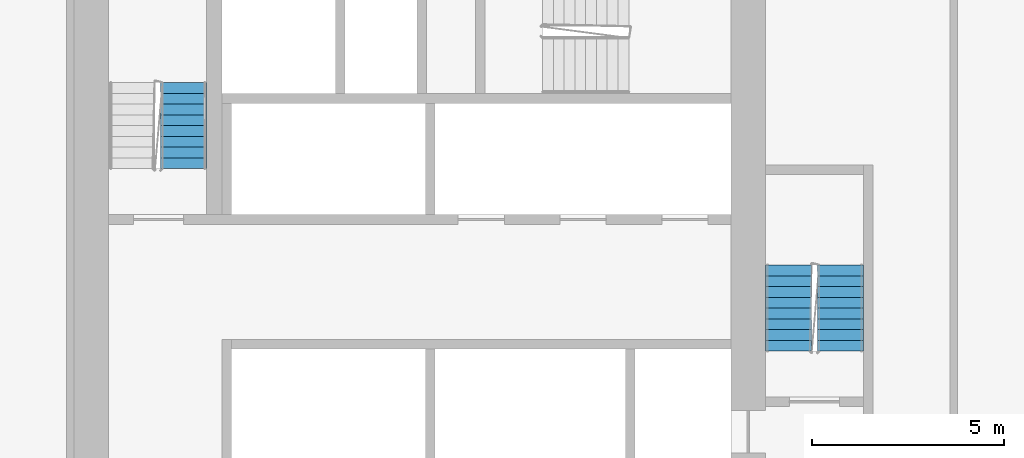
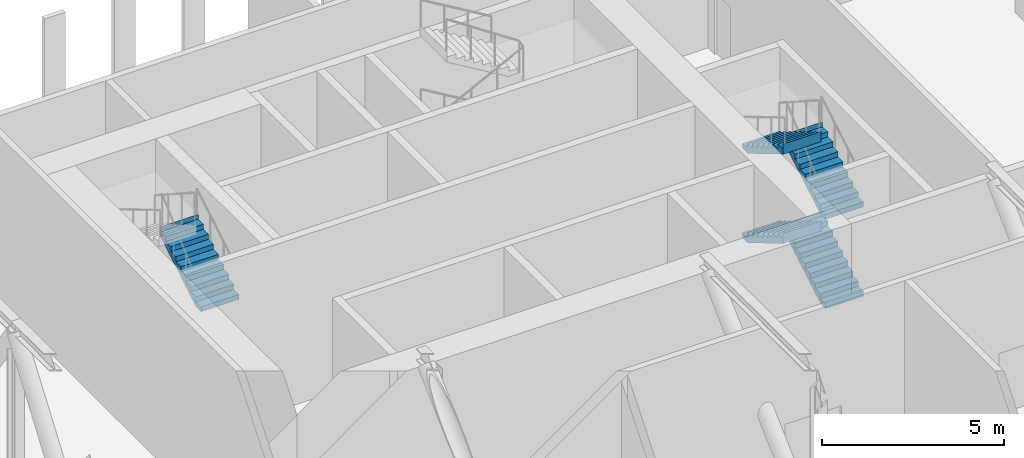
# One storey, part 22 of 26: 5 stair flights, 2 elements without a shape of their own.
"""IFC4 building model written with IfcOpenShell, lengths in metres."""

from ifc_helpers import new_model, si_unit, direction, frame, origin, place, context, subcontext, project, spatial, faceted_brep, material, type_object, element, aggregate, save


model = new_model("IFC4")

# Units and contexts
model_context = context("Model", 3, precision=1e-05, world=origin(), true_north=direction((0.0, 1.0)))
body_context = subcontext(model_context, "Body", "Model", "MODEL_VIEW")
ifc_project = project(units=[si_unit("LENGTHUNIT", "METRE"), si_unit("AREAUNIT", "SQUARE_METRE"), si_unit("VOLUMEUNIT", "CUBIC_METRE"), si_unit("PLANEANGLEUNIT", "RADIAN"), si_unit("MASSUNIT", "GRAM", prefix="KILO")], contexts=[model_context])

# Site, building, storey
site_placement = place(None, origin())
site = spatial("IfcSite", under=ifc_project, at=site_placement, CompositionType="ELEMENT")
building_placement = place(site_placement, origin())
building = spatial("IfcBuilding", under=site, at=building_placement, Name="Kajstack Hotel Tower", CompositionType="ELEMENT")
storey_placement = place(building_placement, frame((0.0, 0.0, 47.0)))
storey = spatial("IfcBuildingStorey", under=building, at=storey_placement, Name="L07", CompositionType="ELEMENT", Elevation=47.0)

# Stair, stair flights
ifc_material = material(Name="Concrete C40/50", Category="concrete")
stair_type = type_object("IfcStairType", Name="Exit stair 1200", PredefinedType="HALF_TURN_STAIR", material=ifc_material)
stair_1_placement = place(storey_placement, origin())
stair_1 = element("IfcStair", 1, at=stair_1_placement, inside=storey, type_object=stair_type, Name="L07 stair E1", PredefinedType="HALF_TURN_STAIR")
stair_flight_type = type_object("IfcStairFlightType", Name="Exit stair flight 1200", PredefinedType="STRAIGHT", material=ifc_material)
stair_flight_1_placement = place(storey_placement, frame((33.449951171875, 5.25, 0.0), z_axis=(0.0, 0.0, 1.0), x_axis=(0.0, 1.0, 0.0)))
stair_flight_1 = element("IfcStairFlight", 2, at=stair_flight_1_placement, type_object=stair_flight_type, Name="E1 flight 1", NumberOfRisers=9, NumberOfTreads=8, PredefinedType="STRAIGHT", RiserHeight=0.166666667, TreadLength=0.28, context=body_context, shape_type="Brep", body=[
    faceted_brep([(0.29345703125, -0.60009765625, 0.0), (2.240478515625, -0.60009765625, 1.158935546875), (2.240478515625, -0.60009765625, 1.5), (2.239990234375, -0.60009765625, 1.5), (2.239990234375, -0.60009765625, 1.333251953125), (1.9599609375, -0.60009765625, 1.333251953125), (1.9599609375, -0.60009765625, 1.166748046875), (1.679931640625, -0.60009765625, 1.166748046875), (1.679931640625, -0.60009765625, 1.0), (1.39990234375, -0.60009765625, 1.0), (1.39990234375, -0.60009765625, 0.833251953125), (1.1201171875, -0.60009765625, 0.833251953125), (1.1201171875, -0.60009765625, 0.666748046875), (0.840087890625, -0.60009765625, 0.666748046875), (0.840087890625, -0.60009765625, 0.5), (0.56005859375, -0.60009765625, 0.5), (0.56005859375, -0.60009765625, 0.333251953125), (0.280029296875, -0.60009765625, 0.333251953125), (0.280029296875, -0.60009765625, 0.166748046875), (-0.00048828125, -0.60009765625, 0.166748046875), (-0.00048828125, -0.60009765625, 0.0), (-0.00048828125, 0.60009765625, 0.0), (-0.00048828125, 0.60009765625, 0.166748046875), (0.280029296875, 0.60009765625, 0.166748046875), (0.280029296875, 0.60009765625, 0.333251953125), (0.56005859375, 0.60009765625, 0.333251953125), (0.56005859375, 0.60009765625, 0.5), (0.840087890625, 0.60009765625, 0.5), (0.840087890625, 0.60009765625, 0.666748046875), (1.1201171875, 0.60009765625, 0.666748046875), (1.1201171875, 0.60009765625, 0.833251953125), (1.39990234375, 0.60009765625, 0.833251953125), (1.39990234375, 0.60009765625, 1.0), (1.679931640625, 0.60009765625, 1.0), (1.679931640625, 0.60009765625, 1.166748046875), (1.9599609375, 0.60009765625, 1.166748046875), (1.9599609375, 0.60009765625, 1.333251953125), (2.239990234375, 0.60009765625, 1.333251953125), (2.239990234375, 0.60009765625, 1.5), (2.240478515625, 0.60009765625, 1.5), (2.240478515625, 0.60009765625, 1.158935546875), (0.29345703125, 0.60009765625, 0.0), (-0.00048828125, -0.300048828125, 0.166748046875), (-0.00048828125, 0.0, 0.166748046875), (-0.00048828125, 0.300048828125, 0.166748046875), (-0.00048828125, 0.300048828125, 0.0), (-0.00048828125, 0.0, 0.0), (-0.00048828125, -0.300048828125, 0.0), (0.280029296875, -0.300048828125, 0.166748046875), (0.280029296875, 0.0, 0.166748046875), (0.280029296875, 0.300048828125, 0.166748046875), (0.280029296875, -0.300048828125, 0.333251953125), (0.280029296875, 0.0, 0.333251953125), (0.280029296875, 0.300048828125, 0.333251953125), (0.56005859375, -0.300048828125, 0.333251953125), (0.56005859375, 0.0, 0.333251953125), (0.56005859375, 0.300048828125, 0.333251953125), (0.56005859375, -0.300048828125, 0.5), (0.56005859375, 0.0, 0.5), (0.56005859375, 0.300048828125, 0.5), (0.840087890625, -0.300048828125, 0.5), (0.840087890625, 0.0, 0.5), (0.840087890625, 0.300048828125, 0.5), (0.840087890625, -0.300048828125, 0.666748046875), (0.840087890625, 0.0, 0.666748046875), (0.840087890625, 0.300048828125, 0.666748046875), (1.1201171875, -0.300048828125, 0.666748046875), (1.1201171875, 0.0, 0.666748046875), (1.1201171875, 0.300048828125, 0.666748046875), (1.1201171875, -0.300048828125, 0.833251953125), (1.1201171875, 0.0, 0.833251953125), (1.1201171875, 0.300048828125, 0.833251953125), (1.39990234375, -0.300048828125, 0.833251953125), (1.39990234375, 0.0, 0.833251953125), (1.39990234375, 0.300048828125, 0.833251953125), (1.39990234375, -0.300048828125, 1.0), (1.39990234375, 0.0, 1.0), (1.39990234375, 0.300048828125, 1.0), (1.679931640625, -0.300048828125, 1.0), (1.679931640625, 0.0, 1.0), (1.679931640625, 0.300048828125, 1.0), (1.679931640625, -0.300048828125, 1.166748046875), (1.679931640625, 0.0, 1.166748046875), (1.679931640625, 0.300048828125, 1.166748046875), (1.9599609375, -0.300048828125, 1.166748046875), (1.9599609375, 0.0, 1.166748046875), (1.9599609375, 0.300048828125, 1.166748046875), (1.9599609375, -0.300048828125, 1.333251953125), (1.9599609375, 0.0, 1.333251953125), (1.9599609375, 0.300048828125, 1.333251953125), (2.239990234375, -0.300048828125, 1.333251953125), (2.239990234375, 0.0, 1.333251953125), (2.239990234375, 0.300048828125, 1.333251953125), (2.239990234375, -0.300048828125, 1.5), (2.239990234375, 0.0, 1.5), (2.239990234375, 0.300048828125, 1.5), (2.240478515625, -0.300048828125, 1.5), (2.240478515625, 0.0, 1.5), (2.240478515625, 0.300048828125, 1.5), (2.240478515625, -0.300048828125, 1.158935546875), (2.240478515625, 0.0, 1.158935546875), (2.240478515625, 0.300048828125, 1.158935546875), (0.29345703125, -0.300048828125, 0.0), (0.29345703125, 0.0, 0.0), (0.29345703125, 0.300048828125, 0.0)], [[[0, 1, 2, 3, 4, 5, 6, 7, 8, 9, 10, 11, 12, 13, 14, 15, 16, 17, 18, 19, 20]], [[21, 22, 23, 24, 25, 26, 27, 28, 29, 30, 31, 32, 33, 34, 35, 36, 37, 38, 39, 40, 41]], [[19, 42, 43, 44, 22, 21, 45, 46, 47, 20]], [[18, 48, 49, 50, 23, 22, 44, 43, 42, 19]], [[17, 51, 52, 53, 24, 23, 50, 49, 48, 18]], [[16, 54, 55, 56, 25, 24, 53, 52, 51, 17]], [[15, 57, 58, 59, 26, 25, 56, 55, 54, 16]], [[14, 60, 61, 62, 27, 26, 59, 58, 57, 15]], [[13, 63, 64, 65, 28, 27, 62, 61, 60, 14]], [[12, 66, 67, 68, 29, 28, 65, 64, 63, 13]], [[11, 69, 70, 71, 30, 29, 68, 67, 66, 12]], [[10, 72, 73, 74, 31, 30, 71, 70, 69, 11]], [[9, 75, 76, 77, 32, 31, 74, 73, 72, 10]], [[8, 78, 79, 80, 33, 32, 77, 76, 75, 9]], [[7, 81, 82, 83, 34, 33, 80, 79, 78, 8]], [[6, 84, 85, 86, 35, 34, 83, 82, 81, 7]], [[5, 87, 88, 89, 36, 35, 86, 85, 84, 6]], [[4, 90, 91, 92, 37, 36, 89, 88, 87, 5]], [[3, 93, 94, 95, 38, 37, 92, 91, 90, 4]], [[2, 96, 97, 98, 39, 38, 95, 94, 93, 3]], [[1, 99, 100, 101, 40, 39, 98, 97, 96, 2]], [[0, 102, 103, 104, 41, 40, 101, 100, 99, 1]], [[20, 47, 46, 45, 21, 41, 104, 103, 102, 0]]]),
])
stair_flight_2_placement = place(storey_placement, frame((32.10009765625, 7.489990234375, 1.5), z_axis=(0.0, 0.0, 1.0), x_axis=(0.0, -1.0, 0.0)))
stair_flight_2 = element("IfcStairFlight", 3, at=stair_flight_2_placement, type_object=stair_flight_type, Name="E1 flight 2", NumberOfRisers=9, NumberOfTreads=8, PredefinedType="STRAIGHT", RiserHeight=0.166666667, TreadLength=0.28, context=body_context, shape_type="Brep", body=[
    faceted_brep([(0.29345703125, -0.60009765625, 0.0), (2.240478515625, -0.60009765625, 1.158935546875), (2.240478515625, -0.60009765625, 1.5), (2.239990234375, -0.60009765625, 1.5), (2.239990234375, -0.60009765625, 1.333251953125), (1.9599609375, -0.60009765625, 1.333251953125), (1.9599609375, -0.60009765625, 1.166748046875), (1.679931640625, -0.60009765625, 1.166748046875), (1.679931640625, -0.60009765625, 1.0), (1.39990234375, -0.60009765625, 1.0), (1.39990234375, -0.60009765625, 0.833251953125), (1.1201171875, -0.60009765625, 0.833251953125), (1.1201171875, -0.60009765625, 0.666748046875), (0.840087890625, -0.60009765625, 0.666748046875), (0.840087890625, -0.60009765625, 0.5), (0.56005859375, -0.60009765625, 0.5), (0.56005859375, -0.60009765625, 0.333251953125), (0.280029296875, -0.60009765625, 0.333251953125), (0.280029296875, -0.60009765625, 0.166748046875), (-0.00048828125, -0.60009765625, 0.166748046875), (-0.00048828125, -0.60009765625, 0.0), (-0.00048828125, 0.60009765625, 0.0), (-0.00048828125, 0.60009765625, 0.166748046875), (0.280029296875, 0.60009765625, 0.166748046875), (0.280029296875, 0.60009765625, 0.333251953125), (0.56005859375, 0.60009765625, 0.333251953125), (0.56005859375, 0.60009765625, 0.5), (0.840087890625, 0.60009765625, 0.5), (0.840087890625, 0.60009765625, 0.666748046875), (1.1201171875, 0.60009765625, 0.666748046875), (1.1201171875, 0.60009765625, 0.833251953125), (1.39990234375, 0.60009765625, 0.833251953125), (1.39990234375, 0.60009765625, 1.0), (1.679931640625, 0.60009765625, 1.0), (1.679931640625, 0.60009765625, 1.166748046875), (1.9599609375, 0.60009765625, 1.166748046875), (1.9599609375, 0.60009765625, 1.333251953125), (2.239990234375, 0.60009765625, 1.333251953125), (2.239990234375, 0.60009765625, 1.5), (2.240478515625, 0.60009765625, 1.5), (2.240478515625, 0.60009765625, 1.158935546875), (0.29345703125, 0.60009765625, 0.0), (-0.00048828125, -0.300048828125, 0.166748046875), (-0.00048828125, 0.0, 0.166748046875), (-0.00048828125, 0.300048828125, 0.166748046875), (-0.00048828125, 0.300048828125, 0.0), (-0.00048828125, 0.0, 0.0), (-0.00048828125, -0.300048828125, 0.0), (0.280029296875, -0.300048828125, 0.166748046875), (0.280029296875, 0.0, 0.166748046875), (0.280029296875, 0.300048828125, 0.166748046875), (0.280029296875, -0.300048828125, 0.333251953125), (0.280029296875, 0.0, 0.333251953125), (0.280029296875, 0.300048828125, 0.333251953125), (0.56005859375, -0.300048828125, 0.333251953125), (0.56005859375, 0.0, 0.333251953125), (0.56005859375, 0.300048828125, 0.333251953125), (0.56005859375, -0.300048828125, 0.5), (0.56005859375, 0.0, 0.5), (0.56005859375, 0.300048828125, 0.5), (0.840087890625, -0.300048828125, 0.5), (0.840087890625, 0.0, 0.5), (0.840087890625, 0.300048828125, 0.5), (0.840087890625, -0.300048828125, 0.666748046875), (0.840087890625, 0.0, 0.666748046875), (0.840087890625, 0.300048828125, 0.666748046875), (1.1201171875, -0.300048828125, 0.666748046875), (1.1201171875, 0.0, 0.666748046875), (1.1201171875, 0.300048828125, 0.666748046875), (1.1201171875, -0.300048828125, 0.833251953125), (1.1201171875, 0.0, 0.833251953125), (1.1201171875, 0.300048828125, 0.833251953125), (1.39990234375, -0.300048828125, 0.833251953125), (1.39990234375, 0.0, 0.833251953125), (1.39990234375, 0.300048828125, 0.833251953125), (1.39990234375, -0.300048828125, 1.0), (1.39990234375, 0.0, 1.0), (1.39990234375, 0.300048828125, 1.0), (1.679931640625, -0.300048828125, 1.0), (1.679931640625, 0.0, 1.0), (1.679931640625, 0.300048828125, 1.0), (1.679931640625, -0.300048828125, 1.166748046875), (1.679931640625, 0.0, 1.166748046875), (1.679931640625, 0.300048828125, 1.166748046875), (1.9599609375, -0.300048828125, 1.166748046875), (1.9599609375, 0.0, 1.166748046875), (1.9599609375, 0.300048828125, 1.166748046875), (1.9599609375, -0.300048828125, 1.333251953125), (1.9599609375, 0.0, 1.333251953125), (1.9599609375, 0.300048828125, 1.333251953125), (2.239990234375, -0.300048828125, 1.333251953125), (2.239990234375, 0.0, 1.333251953125), (2.239990234375, 0.300048828125, 1.333251953125), (2.239990234375, -0.300048828125, 1.5), (2.239990234375, 0.0, 1.5), (2.239990234375, 0.300048828125, 1.5), (2.240478515625, -0.300048828125, 1.5), (2.240478515625, 0.0, 1.5), (2.240478515625, 0.300048828125, 1.5), (2.240478515625, -0.300048828125, 1.158935546875), (2.240478515625, 0.0, 1.158935546875), (2.240478515625, 0.300048828125, 1.158935546875), (0.29345703125, -0.300048828125, 0.0), (0.29345703125, 0.0, 0.0), (0.29345703125, 0.300048828125, 0.0)], [[[0, 1, 2, 3, 4, 5, 6, 7, 8, 9, 10, 11, 12, 13, 14, 15, 16, 17, 18, 19, 20]], [[21, 22, 23, 24, 25, 26, 27, 28, 29, 30, 31, 32, 33, 34, 35, 36, 37, 38, 39, 40, 41]], [[19, 42, 43, 44, 22, 21, 45, 46, 47, 20]], [[18, 48, 49, 50, 23, 22, 44, 43, 42, 19]], [[17, 51, 52, 53, 24, 23, 50, 49, 48, 18]], [[16, 54, 55, 56, 25, 24, 53, 52, 51, 17]], [[15, 57, 58, 59, 26, 25, 56, 55, 54, 16]], [[14, 60, 61, 62, 27, 26, 59, 58, 57, 15]], [[13, 63, 64, 65, 28, 27, 62, 61, 60, 14]], [[12, 66, 67, 68, 29, 28, 65, 64, 63, 13]], [[11, 69, 70, 71, 30, 29, 68, 67, 66, 12]], [[10, 72, 73, 74, 31, 30, 71, 70, 69, 11]], [[9, 75, 76, 77, 32, 31, 74, 73, 72, 10]], [[8, 78, 79, 80, 33, 32, 77, 76, 75, 9]], [[7, 81, 82, 83, 34, 33, 80, 79, 78, 8]], [[6, 84, 85, 86, 35, 34, 83, 82, 81, 7]], [[5, 87, 88, 89, 36, 35, 86, 85, 84, 6]], [[4, 90, 91, 92, 37, 36, 89, 88, 87, 5]], [[3, 93, 94, 95, 38, 37, 92, 91, 90, 4]], [[2, 96, 97, 98, 39, 38, 95, 94, 93, 3]], [[1, 99, 100, 101, 40, 39, 98, 97, 96, 2]], [[0, 102, 103, 104, 41, 40, 101, 100, 99, 1]], [[20, 47, 46, 45, 21, 41, 104, 103, 102, 0]]]),
])
stair_flight_3_placement = place(storey_placement, frame((33.449951171875, 5.25, 3.0), z_axis=(0.0, 0.0, 1.0), x_axis=(0.0, 1.0, 0.0)))
stair_flight_3 = element("IfcStairFlight", 4, at=stair_flight_3_placement, type_object=stair_flight_type, Name="E1 flight 3", NumberOfRisers=9, NumberOfTreads=8, PredefinedType="STRAIGHT", RiserHeight=0.166666667, TreadLength=0.28, context=body_context, shape_type="Brep", body=[
    faceted_brep([(0.29345703125, -0.60009765625, 0.0), (2.240478515625, -0.60009765625, 1.158935546875), (2.240478515625, -0.60009765625, 1.5), (2.239990234375, -0.60009765625, 1.5), (2.239990234375, -0.60009765625, 1.333251953125), (1.9599609375, -0.60009765625, 1.333251953125), (1.9599609375, -0.60009765625, 1.166748046875), (1.679931640625, -0.60009765625, 1.166748046875), (1.679931640625, -0.60009765625, 1.0), (1.39990234375, -0.60009765625, 1.0), (1.39990234375, -0.60009765625, 0.833251953125), (1.1201171875, -0.60009765625, 0.833251953125), (1.1201171875, -0.60009765625, 0.666748046875), (0.840087890625, -0.60009765625, 0.666748046875), (0.840087890625, -0.60009765625, 0.5), (0.56005859375, -0.60009765625, 0.5), (0.56005859375, -0.60009765625, 0.333251953125), (0.280029296875, -0.60009765625, 0.333251953125), (0.280029296875, -0.60009765625, 0.166748046875), (-0.00048828125, -0.60009765625, 0.166748046875), (-0.00048828125, -0.60009765625, 0.0), (-0.00048828125, 0.60009765625, 0.0), (-0.00048828125, 0.60009765625, 0.166748046875), (0.280029296875, 0.60009765625, 0.166748046875), (0.280029296875, 0.60009765625, 0.333251953125), (0.56005859375, 0.60009765625, 0.333251953125), (0.56005859375, 0.60009765625, 0.5), (0.840087890625, 0.60009765625, 0.5), (0.840087890625, 0.60009765625, 0.666748046875), (1.1201171875, 0.60009765625, 0.666748046875), (1.1201171875, 0.60009765625, 0.833251953125), (1.39990234375, 0.60009765625, 0.833251953125), (1.39990234375, 0.60009765625, 1.0), (1.679931640625, 0.60009765625, 1.0), (1.679931640625, 0.60009765625, 1.166748046875), (1.9599609375, 0.60009765625, 1.166748046875), (1.9599609375, 0.60009765625, 1.333251953125), (2.239990234375, 0.60009765625, 1.333251953125), (2.239990234375, 0.60009765625, 1.5), (2.240478515625, 0.60009765625, 1.5), (2.240478515625, 0.60009765625, 1.158935546875), (0.29345703125, 0.60009765625, 0.0), (-0.00048828125, -0.300048828125, 0.166748046875), (-0.00048828125, 0.0, 0.166748046875), (-0.00048828125, 0.300048828125, 0.166748046875), (-0.00048828125, 0.300048828125, 0.0), (-0.00048828125, 0.0, 0.0), (-0.00048828125, -0.300048828125, 0.0), (0.280029296875, -0.300048828125, 0.166748046875), (0.280029296875, 0.0, 0.166748046875), (0.280029296875, 0.300048828125, 0.166748046875), (0.280029296875, -0.300048828125, 0.333251953125), (0.280029296875, 0.0, 0.333251953125), (0.280029296875, 0.300048828125, 0.333251953125), (0.56005859375, -0.300048828125, 0.333251953125), (0.56005859375, 0.0, 0.333251953125), (0.56005859375, 0.300048828125, 0.333251953125), (0.56005859375, -0.300048828125, 0.5), (0.56005859375, 0.0, 0.5), (0.56005859375, 0.300048828125, 0.5), (0.840087890625, -0.300048828125, 0.5), (0.840087890625, 0.0, 0.5), (0.840087890625, 0.300048828125, 0.5), (0.840087890625, -0.300048828125, 0.666748046875), (0.840087890625, 0.0, 0.666748046875), (0.840087890625, 0.300048828125, 0.666748046875), (1.1201171875, -0.300048828125, 0.666748046875), (1.1201171875, 0.0, 0.666748046875), (1.1201171875, 0.300048828125, 0.666748046875), (1.1201171875, -0.300048828125, 0.833251953125), (1.1201171875, 0.0, 0.833251953125), (1.1201171875, 0.300048828125, 0.833251953125), (1.39990234375, -0.300048828125, 0.833251953125), (1.39990234375, 0.0, 0.833251953125), (1.39990234375, 0.300048828125, 0.833251953125), (1.39990234375, -0.300048828125, 1.0), (1.39990234375, 0.0, 1.0), (1.39990234375, 0.300048828125, 1.0), (1.679931640625, -0.300048828125, 1.0), (1.679931640625, 0.0, 1.0), (1.679931640625, 0.300048828125, 1.0), (1.679931640625, -0.300048828125, 1.166748046875), (1.679931640625, 0.0, 1.166748046875), (1.679931640625, 0.300048828125, 1.166748046875), (1.9599609375, -0.300048828125, 1.166748046875), (1.9599609375, 0.0, 1.166748046875), (1.9599609375, 0.300048828125, 1.166748046875), (1.9599609375, -0.300048828125, 1.333251953125), (1.9599609375, 0.0, 1.333251953125), (1.9599609375, 0.300048828125, 1.333251953125), (2.239990234375, -0.300048828125, 1.333251953125), (2.239990234375, 0.0, 1.333251953125), (2.239990234375, 0.300048828125, 1.333251953125), (2.239990234375, -0.300048828125, 1.5), (2.239990234375, 0.0, 1.5), (2.239990234375, 0.300048828125, 1.5), (2.240478515625, -0.300048828125, 1.5), (2.240478515625, 0.0, 1.5), (2.240478515625, 0.300048828125, 1.5), (2.240478515625, -0.300048828125, 1.158935546875), (2.240478515625, 0.0, 1.158935546875), (2.240478515625, 0.300048828125, 1.158935546875), (0.29345703125, -0.300048828125, 0.0), (0.29345703125, 0.0, 0.0), (0.29345703125, 0.300048828125, 0.0)], [[[0, 1, 2, 3, 4, 5, 6, 7, 8, 9, 10, 11, 12, 13, 14, 15, 16, 17, 18, 19, 20]], [[21, 22, 23, 24, 25, 26, 27, 28, 29, 30, 31, 32, 33, 34, 35, 36, 37, 38, 39, 40, 41]], [[19, 42, 43, 44, 22, 21, 45, 46, 47, 20]], [[18, 48, 49, 50, 23, 22, 44, 43, 42, 19]], [[17, 51, 52, 53, 24, 23, 50, 49, 48, 18]], [[16, 54, 55, 56, 25, 24, 53, 52, 51, 17]], [[15, 57, 58, 59, 26, 25, 56, 55, 54, 16]], [[14, 60, 61, 62, 27, 26, 59, 58, 57, 15]], [[13, 63, 64, 65, 28, 27, 62, 61, 60, 14]], [[12, 66, 67, 68, 29, 28, 65, 64, 63, 13]], [[11, 69, 70, 71, 30, 29, 68, 67, 66, 12]], [[10, 72, 73, 74, 31, 30, 71, 70, 69, 11]], [[9, 75, 76, 77, 32, 31, 74, 73, 72, 10]], [[8, 78, 79, 80, 33, 32, 77, 76, 75, 9]], [[7, 81, 82, 83, 34, 33, 80, 79, 78, 8]], [[6, 84, 85, 86, 35, 34, 83, 82, 81, 7]], [[5, 87, 88, 89, 36, 35, 86, 85, 84, 6]], [[4, 90, 91, 92, 37, 36, 89, 88, 87, 5]], [[3, 93, 94, 95, 38, 37, 92, 91, 90, 4]], [[2, 96, 97, 98, 39, 38, 95, 94, 93, 3]], [[1, 99, 100, 101, 40, 39, 98, 97, 96, 2]], [[0, 102, 103, 104, 41, 40, 101, 100, 99, 1]], [[20, 47, 46, 45, 21, 41, 104, 103, 102, 0]]]),
])
stair_flight_4_placement = place(storey_placement, frame((32.10009765625, 7.489990234375, 4.5), z_axis=(0.0, 0.0, 1.0), x_axis=(0.0, -1.0, 0.0)))
stair_flight_4 = element("IfcStairFlight", 5, at=stair_flight_4_placement, type_object=stair_flight_type, Name="E1 flight 4", NumberOfRisers=9, NumberOfTreads=8, PredefinedType="STRAIGHT", RiserHeight=0.166666667, TreadLength=0.28, context=body_context, shape_type="Brep", body=[
    faceted_brep([(0.29345703125, -0.60009765625, 0.0), (2.240478515625, -0.60009765625, 1.158935546875), (2.240478515625, -0.60009765625, 1.5), (2.239990234375, -0.60009765625, 1.5), (2.239990234375, -0.60009765625, 1.333251953125), (1.9599609375, -0.60009765625, 1.333251953125), (1.9599609375, -0.60009765625, 1.166748046875), (1.679931640625, -0.60009765625, 1.166748046875), (1.679931640625, -0.60009765625, 1.0), (1.39990234375, -0.60009765625, 1.0), (1.39990234375, -0.60009765625, 0.833251953125), (1.1201171875, -0.60009765625, 0.833251953125), (1.1201171875, -0.60009765625, 0.666748046875), (0.840087890625, -0.60009765625, 0.666748046875), (0.840087890625, -0.60009765625, 0.5), (0.56005859375, -0.60009765625, 0.5), (0.56005859375, -0.60009765625, 0.333251953125), (0.280029296875, -0.60009765625, 0.333251953125), (0.280029296875, -0.60009765625, 0.166748046875), (-0.00048828125, -0.60009765625, 0.166748046875), (-0.00048828125, -0.60009765625, 0.0), (-0.00048828125, 0.60009765625, 0.0), (-0.00048828125, 0.60009765625, 0.166748046875), (0.280029296875, 0.60009765625, 0.166748046875), (0.280029296875, 0.60009765625, 0.333251953125), (0.56005859375, 0.60009765625, 0.333251953125), (0.56005859375, 0.60009765625, 0.5), (0.840087890625, 0.60009765625, 0.5), (0.840087890625, 0.60009765625, 0.666748046875), (1.1201171875, 0.60009765625, 0.666748046875), (1.1201171875, 0.60009765625, 0.833251953125), (1.39990234375, 0.60009765625, 0.833251953125), (1.39990234375, 0.60009765625, 1.0), (1.679931640625, 0.60009765625, 1.0), (1.679931640625, 0.60009765625, 1.166748046875), (1.9599609375, 0.60009765625, 1.166748046875), (1.9599609375, 0.60009765625, 1.333251953125), (2.239990234375, 0.60009765625, 1.333251953125), (2.239990234375, 0.60009765625, 1.5), (2.240478515625, 0.60009765625, 1.5), (2.240478515625, 0.60009765625, 1.158935546875), (0.29345703125, 0.60009765625, 0.0), (-0.00048828125, -0.300048828125, 0.166748046875), (-0.00048828125, 0.0, 0.166748046875), (-0.00048828125, 0.300048828125, 0.166748046875), (-0.00048828125, 0.300048828125, 0.0), (-0.00048828125, 0.0, 0.0), (-0.00048828125, -0.300048828125, 0.0), (0.280029296875, -0.300048828125, 0.166748046875), (0.280029296875, 0.0, 0.166748046875), (0.280029296875, 0.300048828125, 0.166748046875), (0.280029296875, -0.300048828125, 0.333251953125), (0.280029296875, 0.0, 0.333251953125), (0.280029296875, 0.300048828125, 0.333251953125), (0.56005859375, -0.300048828125, 0.333251953125), (0.56005859375, 0.0, 0.333251953125), (0.56005859375, 0.300048828125, 0.333251953125), (0.56005859375, -0.300048828125, 0.5), (0.56005859375, 0.0, 0.5), (0.56005859375, 0.300048828125, 0.5), (0.840087890625, -0.300048828125, 0.5), (0.840087890625, 0.0, 0.5), (0.840087890625, 0.300048828125, 0.5), (0.840087890625, -0.300048828125, 0.666748046875), (0.840087890625, 0.0, 0.666748046875), (0.840087890625, 0.300048828125, 0.666748046875), (1.1201171875, -0.300048828125, 0.666748046875), (1.1201171875, 0.0, 0.666748046875), (1.1201171875, 0.300048828125, 0.666748046875), (1.1201171875, -0.300048828125, 0.833251953125), (1.1201171875, 0.0, 0.833251953125), (1.1201171875, 0.300048828125, 0.833251953125), (1.39990234375, -0.300048828125, 0.833251953125), (1.39990234375, 0.0, 0.833251953125), (1.39990234375, 0.300048828125, 0.833251953125), (1.39990234375, -0.300048828125, 1.0), (1.39990234375, 0.0, 1.0), (1.39990234375, 0.300048828125, 1.0), (1.679931640625, -0.300048828125, 1.0), (1.679931640625, 0.0, 1.0), (1.679931640625, 0.300048828125, 1.0), (1.679931640625, -0.300048828125, 1.166748046875), (1.679931640625, 0.0, 1.166748046875), (1.679931640625, 0.300048828125, 1.166748046875), (1.9599609375, -0.300048828125, 1.166748046875), (1.9599609375, 0.0, 1.166748046875), (1.9599609375, 0.300048828125, 1.166748046875), (1.9599609375, -0.300048828125, 1.333251953125), (1.9599609375, 0.0, 1.333251953125), (1.9599609375, 0.300048828125, 1.333251953125), (2.239990234375, -0.300048828125, 1.333251953125), (2.239990234375, 0.0, 1.333251953125), (2.239990234375, 0.300048828125, 1.333251953125), (2.239990234375, -0.300048828125, 1.5), (2.239990234375, 0.0, 1.5), (2.239990234375, 0.300048828125, 1.5), (2.240478515625, -0.300048828125, 1.5), (2.240478515625, 0.0, 1.5), (2.240478515625, 0.300048828125, 1.5), (2.240478515625, -0.300048828125, 1.158935546875), (2.240478515625, 0.0, 1.158935546875), (2.240478515625, 0.300048828125, 1.158935546875), (0.29345703125, -0.300048828125, 0.0), (0.29345703125, 0.0, 0.0), (0.29345703125, 0.300048828125, 0.0)], [[[0, 1, 2, 3, 4, 5, 6, 7, 8, 9, 10, 11, 12, 13, 14, 15, 16, 17, 18, 19, 20]], [[21, 22, 23, 24, 25, 26, 27, 28, 29, 30, 31, 32, 33, 34, 35, 36, 37, 38, 39, 40, 41]], [[19, 42, 43, 44, 22, 21, 45, 46, 47, 20]], [[18, 48, 49, 50, 23, 22, 44, 43, 42, 19]], [[17, 51, 52, 53, 24, 23, 50, 49, 48, 18]], [[16, 54, 55, 56, 25, 24, 53, 52, 51, 17]], [[15, 57, 58, 59, 26, 25, 56, 55, 54, 16]], [[14, 60, 61, 62, 27, 26, 59, 58, 57, 15]], [[13, 63, 64, 65, 28, 27, 62, 61, 60, 14]], [[12, 66, 67, 68, 29, 28, 65, 64, 63, 13]], [[11, 69, 70, 71, 30, 29, 68, 67, 66, 12]], [[10, 72, 73, 74, 31, 30, 71, 70, 69, 11]], [[9, 75, 76, 77, 32, 31, 74, 73, 72, 10]], [[8, 78, 79, 80, 33, 32, 77, 76, 75, 9]], [[7, 81, 82, 83, 34, 33, 80, 79, 78, 8]], [[6, 84, 85, 86, 35, 34, 83, 82, 81, 7]], [[5, 87, 88, 89, 36, 35, 86, 85, 84, 6]], [[4, 90, 91, 92, 37, 36, 89, 88, 87, 5]], [[3, 93, 94, 95, 38, 37, 92, 91, 90, 4]], [[2, 96, 97, 98, 39, 38, 95, 94, 93, 3]], [[1, 99, 100, 101, 40, 39, 98, 97, 96, 2]], [[0, 102, 103, 104, 41, 40, 101, 100, 99, 1]], [[20, 47, 46, 45, 21, 41, 104, 103, 102, 0]]]),
])
aggregate(stair_1, [stair_flight_1, stair_flight_2, stair_flight_3, stair_flight_4])

# Stair, stair flight
stair_2_placement = place(storey_placement, origin())
stair_2 = element("IfcStair", 6, at=stair_2_placement, inside=storey, type_object=stair_type, Name="L07 stair E2", PredefinedType="HALF_TURN_STAIR")
stair_flight_5_placement = place(storey_placement, frame((16.35009765625, 10.0, 3.0), z_axis=(0.0, 0.0, 1.0), x_axis=(0.0, 1.0, 0.0)))
stair_flight_5 = element("IfcStairFlight", 7, at=stair_flight_5_placement, type_object=stair_flight_type, Name="E2 flight 3", NumberOfRisers=9, NumberOfTreads=8, PredefinedType="STRAIGHT", RiserHeight=0.166666667, TreadLength=0.28, context=body_context, shape_type="Brep", body=[
    faceted_brep([(0.29345703125, -0.60009765625, 0.0), (2.240478515625, -0.60009765625, 1.158935546875), (2.240478515625, -0.60009765625, 1.5), (2.239990234375, -0.60009765625, 1.5), (2.239990234375, -0.60009765625, 1.333251953125), (1.9599609375, -0.60009765625, 1.333251953125), (1.9599609375, -0.60009765625, 1.166748046875), (1.679931640625, -0.60009765625, 1.166748046875), (1.679931640625, -0.60009765625, 1.0), (1.39990234375, -0.60009765625, 1.0), (1.39990234375, -0.60009765625, 0.833251953125), (1.1201171875, -0.60009765625, 0.833251953125), (1.1201171875, -0.60009765625, 0.666748046875), (0.840087890625, -0.60009765625, 0.666748046875), (0.840087890625, -0.60009765625, 0.5), (0.56005859375, -0.60009765625, 0.5), (0.56005859375, -0.60009765625, 0.333251953125), (0.280029296875, -0.60009765625, 0.333251953125), (0.280029296875, -0.60009765625, 0.166748046875), (-0.00048828125, -0.60009765625, 0.166748046875), (-0.00048828125, -0.60009765625, 0.0), (-0.00048828125, 0.60009765625, 0.0), (-0.00048828125, 0.60009765625, 0.166748046875), (0.280029296875, 0.60009765625, 0.166748046875), (0.280029296875, 0.60009765625, 0.333251953125), (0.56005859375, 0.60009765625, 0.333251953125), (0.56005859375, 0.60009765625, 0.5), (0.840087890625, 0.60009765625, 0.5), (0.840087890625, 0.60009765625, 0.666748046875), (1.1201171875, 0.60009765625, 0.666748046875), (1.1201171875, 0.60009765625, 0.833251953125), (1.39990234375, 0.60009765625, 0.833251953125), (1.39990234375, 0.60009765625, 1.0), (1.679931640625, 0.60009765625, 1.0), (1.679931640625, 0.60009765625, 1.166748046875), (1.9599609375, 0.60009765625, 1.166748046875), (1.9599609375, 0.60009765625, 1.333251953125), (2.239990234375, 0.60009765625, 1.333251953125), (2.239990234375, 0.60009765625, 1.5), (2.240478515625, 0.60009765625, 1.5), (2.240478515625, 0.60009765625, 1.158935546875), (0.29345703125, 0.60009765625, 0.0), (-0.00048828125, -0.300048828125, 0.166748046875), (-0.00048828125, 0.0, 0.166748046875), (-0.00048828125, 0.300048828125, 0.166748046875), (-0.00048828125, 0.300048828125, 0.0), (-0.00048828125, 0.0, 0.0), (-0.00048828125, -0.300048828125, 0.0), (0.280029296875, -0.300048828125, 0.166748046875), (0.280029296875, 0.0, 0.166748046875), (0.280029296875, 0.300048828125, 0.166748046875), (0.280029296875, -0.300048828125, 0.333251953125), (0.280029296875, 0.0, 0.333251953125), (0.280029296875, 0.300048828125, 0.333251953125), (0.56005859375, -0.300048828125, 0.333251953125), (0.56005859375, 0.0, 0.333251953125), (0.56005859375, 0.300048828125, 0.333251953125), (0.56005859375, -0.300048828125, 0.5), (0.56005859375, 0.0, 0.5), (0.56005859375, 0.300048828125, 0.5), (0.840087890625, -0.300048828125, 0.5), (0.840087890625, 0.0, 0.5), (0.840087890625, 0.300048828125, 0.5), (0.840087890625, -0.300048828125, 0.666748046875), (0.840087890625, 0.0, 0.666748046875), (0.840087890625, 0.300048828125, 0.666748046875), (1.1201171875, -0.300048828125, 0.666748046875), (1.1201171875, 0.0, 0.666748046875), (1.1201171875, 0.300048828125, 0.666748046875), (1.1201171875, -0.300048828125, 0.833251953125), (1.1201171875, 0.0, 0.833251953125), (1.1201171875, 0.300048828125, 0.833251953125), (1.39990234375, -0.300048828125, 0.833251953125), (1.39990234375, 0.0, 0.833251953125), (1.39990234375, 0.300048828125, 0.833251953125), (1.39990234375, -0.300048828125, 1.0), (1.39990234375, 0.0, 1.0), (1.39990234375, 0.300048828125, 1.0), (1.679931640625, -0.300048828125, 1.0), (1.679931640625, 0.0, 1.0), (1.679931640625, 0.300048828125, 1.0), (1.679931640625, -0.300048828125, 1.166748046875), (1.679931640625, 0.0, 1.166748046875), (1.679931640625, 0.300048828125, 1.166748046875), (1.9599609375, -0.300048828125, 1.166748046875), (1.9599609375, 0.0, 1.166748046875), (1.9599609375, 0.300048828125, 1.166748046875), (1.9599609375, -0.300048828125, 1.333251953125), (1.9599609375, 0.0, 1.333251953125), (1.9599609375, 0.300048828125, 1.333251953125), (2.239990234375, -0.300048828125, 1.333251953125), (2.239990234375, 0.0, 1.333251953125), (2.239990234375, 0.300048828125, 1.333251953125), (2.239990234375, -0.300048828125, 1.5), (2.239990234375, 0.0, 1.5), (2.239990234375, 0.300048828125, 1.5), (2.240478515625, -0.300048828125, 1.5), (2.240478515625, 0.0, 1.5), (2.240478515625, 0.300048828125, 1.5), (2.240478515625, -0.300048828125, 1.158935546875), (2.240478515625, 0.0, 1.158935546875), (2.240478515625, 0.300048828125, 1.158935546875), (0.29345703125, -0.300048828125, 0.0), (0.29345703125, 0.0, 0.0), (0.29345703125, 0.300048828125, 0.0)], [[[0, 1, 2, 3, 4, 5, 6, 7, 8, 9, 10, 11, 12, 13, 14, 15, 16, 17, 18, 19, 20]], [[21, 22, 23, 24, 25, 26, 27, 28, 29, 30, 31, 32, 33, 34, 35, 36, 37, 38, 39, 40, 41]], [[19, 42, 43, 44, 22, 21, 45, 46, 47, 20]], [[18, 48, 49, 50, 23, 22, 44, 43, 42, 19]], [[17, 51, 52, 53, 24, 23, 50, 49, 48, 18]], [[16, 54, 55, 56, 25, 24, 53, 52, 51, 17]], [[15, 57, 58, 59, 26, 25, 56, 55, 54, 16]], [[14, 60, 61, 62, 27, 26, 59, 58, 57, 15]], [[13, 63, 64, 65, 28, 27, 62, 61, 60, 14]], [[12, 66, 67, 68, 29, 28, 65, 64, 63, 13]], [[11, 69, 70, 71, 30, 29, 68, 67, 66, 12]], [[10, 72, 73, 74, 31, 30, 71, 70, 69, 11]], [[9, 75, 76, 77, 32, 31, 74, 73, 72, 10]], [[8, 78, 79, 80, 33, 32, 77, 76, 75, 9]], [[7, 81, 82, 83, 34, 33, 80, 79, 78, 8]], [[6, 84, 85, 86, 35, 34, 83, 82, 81, 7]], [[5, 87, 88, 89, 36, 35, 86, 85, 84, 6]], [[4, 90, 91, 92, 37, 36, 89, 88, 87, 5]], [[3, 93, 94, 95, 38, 37, 92, 91, 90, 4]], [[2, 96, 97, 98, 39, 38, 95, 94, 93, 3]], [[1, 99, 100, 101, 40, 39, 98, 97, 96, 2]], [[0, 102, 103, 104, 41, 40, 101, 100, 99, 1]], [[20, 47, 46, 45, 21, 41, 104, 103, 102, 0]]]),
])
aggregate(stair_2, [stair_flight_5])

save(model, "model.ifc")
